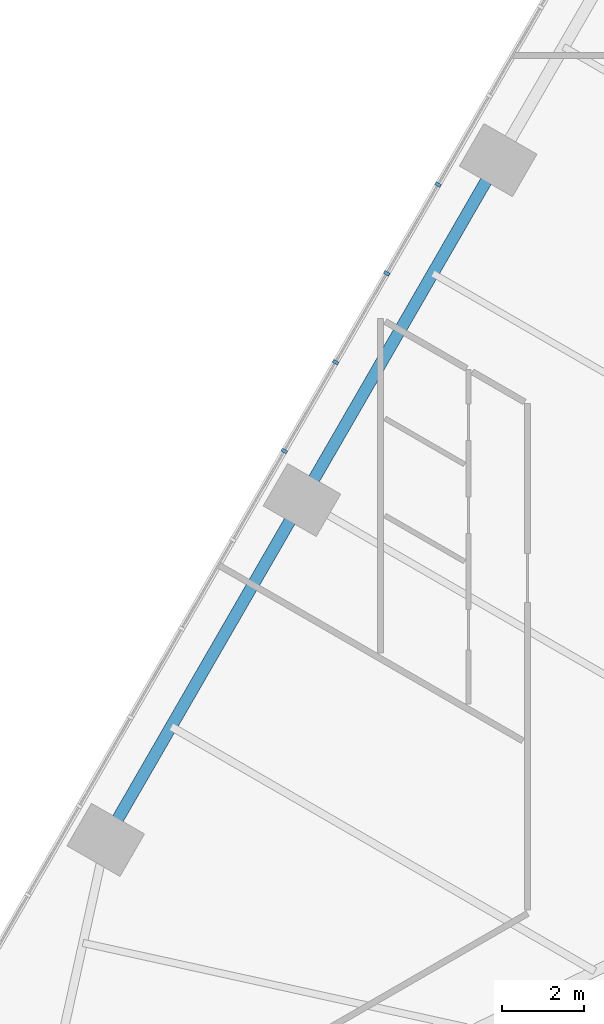
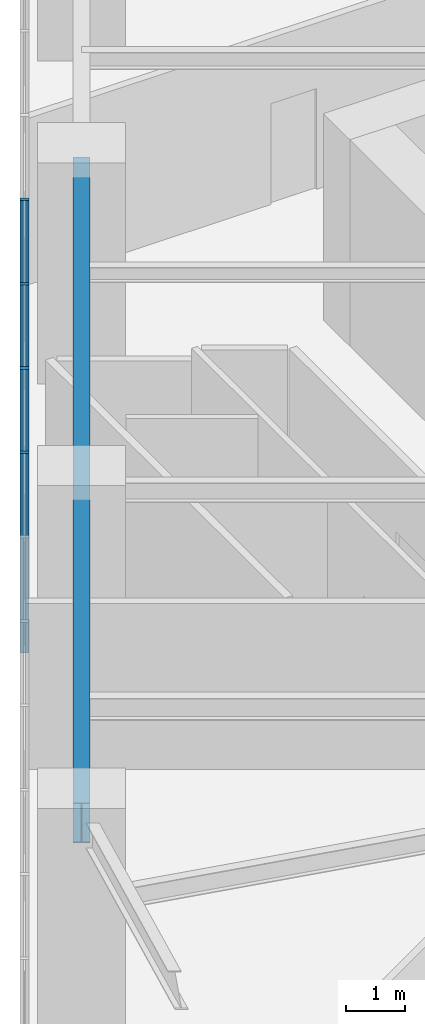
# One storey, part 4 of 30: 4 members, 1 beam, 1 element without a shape of its own.
"""IFC4 building model written with IfcOpenShell, lengths in metres."""

from ifc_helpers import new_model, si_unit, direction, frame, origin, origin_2d, place, context, subcontext, project, spatial, rectangle, i_section, extrude, material, layer, layer_set, material_profile, profile_set, type_object, element, aggregate, save


model = new_model("IFC4")

# Units and contexts
model_context = context("Model", 3, precision=1e-05, world=origin(), true_north=direction((0.0, 1.0)))
body_context = subcontext(model_context, "Body", "Model", "MODEL_VIEW")
ifc_project = project(units=[si_unit("LENGTHUNIT", "METRE"), si_unit("AREAUNIT", "SQUARE_METRE"), si_unit("VOLUMEUNIT", "CUBIC_METRE"), si_unit("PLANEANGLEUNIT", "RADIAN"), si_unit("MASSUNIT", "GRAM", prefix="KILO")], contexts=[model_context])

# Site, building, storey
site_placement = place(None, origin())
site = spatial("IfcSite", under=ifc_project, at=site_placement, CompositionType="ELEMENT")
building_placement = place(site_placement, origin())
building = spatial("IfcBuilding", under=site, at=building_placement, Name="Firuza Gate Tower and Library", CompositionType="ELEMENT")
storey_placement = place(building_placement, frame((0.0, 0.0, 12.60009765625)))
storey = spatial("IfcBuildingStorey", under=building, at=storey_placement, Name="L02", CompositionType="ELEMENT", Elevation=12.60009765625)

# Curtain wall, members
ifc_material_1 = material(Name="Aluminium 6063-T6", Category="aluminium")
ifc_layer = layer(ifc_material_1, 0.14990234375)
ifc_layer_set = layer_set([ifc_layer], Name="Stick curtain wall, podium")
curtain_wall_type = type_object("IfcCurtainWallType", Name="Stick curtain wall, podium", PredefinedType="NOTDEFINED", material=ifc_layer_set)
curtain_wall_placement = place(storey_placement, origin())
curtain_wall = element("IfcCurtainWall", 1, at=curtain_wall_placement, inside=storey, type_object=curtain_wall_type, Name="CW5 L02 W", PredefinedType="NOTDEFINED")
ifc_material_2 = material(Name="Aluminium 6063-T6", Category="aluminium")
ifc_material_profile_1 = material_profile(ifc_material_2, rectangle(XDim=0.14990234375, YDim=0.080078125, at=origin_2d()))
ifc_profile_set_1 = profile_set([ifc_material_profile_1], Name="Aluminium 6063-T6")
member_type = type_object("IfcMemberType", Name="Curtain wall mullion 80x150", PredefinedType="MULLION", material=ifc_profile_set_1)
member_1_placement = place(storey_placement, frame((56.30810546875, 84.34375, 0.14990234375), z_axis=(0.0, 0.0, 1.0), x_axis=(0.866025403784, -0.5, 0.0)))
member_1 = element("IfcMember", 2, at=member_1_placement, type_object=member_type, Name="Mullion", PredefinedType="MULLION", context=body_context, shape_type="SweptSolid", body=[
    extrude(rectangle(XDim=0.14990234375, YDim=0.080078125, at=origin_2d()), origin(), (0.0, 0.0, 1.0), 4.14990234375),
])
member_2_placement = place(storey_placement, frame((55.053955078125, 82.171630859375, 0.14990234375), z_axis=(0.0, 0.0, 1.0), x_axis=(0.866025403784, -0.5, 0.0)))
member_2 = element("IfcMember", 3, at=member_2_placement, type_object=member_type, Name="Mullion", PredefinedType="MULLION", context=body_context, shape_type="SweptSolid", body=[
    extrude(rectangle(XDim=0.14990234375, YDim=0.080078125, at=origin_2d()), origin(), (0.0, 0.0, 1.0), 4.14990234375),
])
member_3_placement = place(storey_placement, frame((53.7998046875, 79.99951171875, 0.14990234375), z_axis=(0.0, 0.0, 1.0), x_axis=(0.866025403784, -0.5, 0.0)))
member_3 = element("IfcMember", 4, at=member_3_placement, type_object=member_type, Name="Mullion", PredefinedType="MULLION", context=body_context, shape_type="SweptSolid", body=[
    extrude(rectangle(XDim=0.14990234375, YDim=0.080078125, at=origin_2d()), origin(), (0.0, 0.0, 1.0), 4.14990234375),
])
member_4_placement = place(storey_placement, frame((52.5458984375, 77.827392578125, 0.14990234375), z_axis=(0.0, 0.0, 1.0), x_axis=(0.866025403784, -0.5, 0.0)))
member_4 = element("IfcMember", 5, at=member_4_placement, type_object=member_type, Name="Mullion", PredefinedType="MULLION", context=body_context, shape_type="SweptSolid", body=[
    extrude(rectangle(XDim=0.14990234375, YDim=0.080078125, at=origin_2d()), origin(), (0.0, 0.0, 1.0), 4.14990234375),
])
aggregate(curtain_wall, [member_1, member_2, member_3, member_4])

# Beam
ifc_material_3 = material(Name="Steel S355", Category="steel")
ifc_material_profile_2 = material_profile(ifc_material_3, i_section(OverallWidth=0.2919921875, OverallDepth=0.8349609375, WebThickness=0.013916015625, FlangeThickness=0.018798828125, at=origin_2d()))
ifc_profile_set_2 = profile_set([ifc_material_profile_2], Name="Steel S355")
beam_type = type_object("IfcBeamType", Name="W840x176 Edge beam", PredefinedType="SPANDREL", material=ifc_profile_set_2)
beam_placement = place(storey_placement, frame((57.779541015625, 84.9423828125, 3.88232421875), z_axis=(-0.500003864429, -0.866023172644, 0.0), x_axis=(0.866023172644, -0.500003864429, 0.0)))
element("IfcBeam", 6, at=beam_placement, inside=storey, type_object=beam_type, Name="Edge beam L02 e102", PredefinedType="SPANDREL", context=body_context, shape_type="SweptSolid", body=[
    extrude(i_section(OverallWidth=0.2919921875, OverallDepth=0.8349609375, WebThickness=0.013916015625, FlangeThickness=0.018798828125, at=origin_2d()), origin(), (0.0, 0.0, 1.0), 19.199951171875),
])

save(model, "model.ifc")
